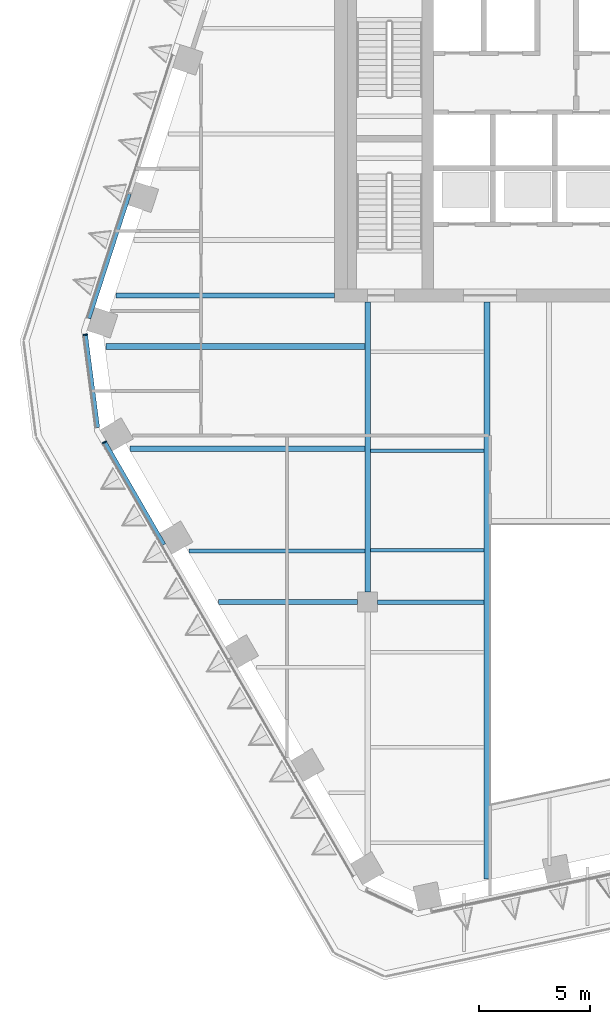
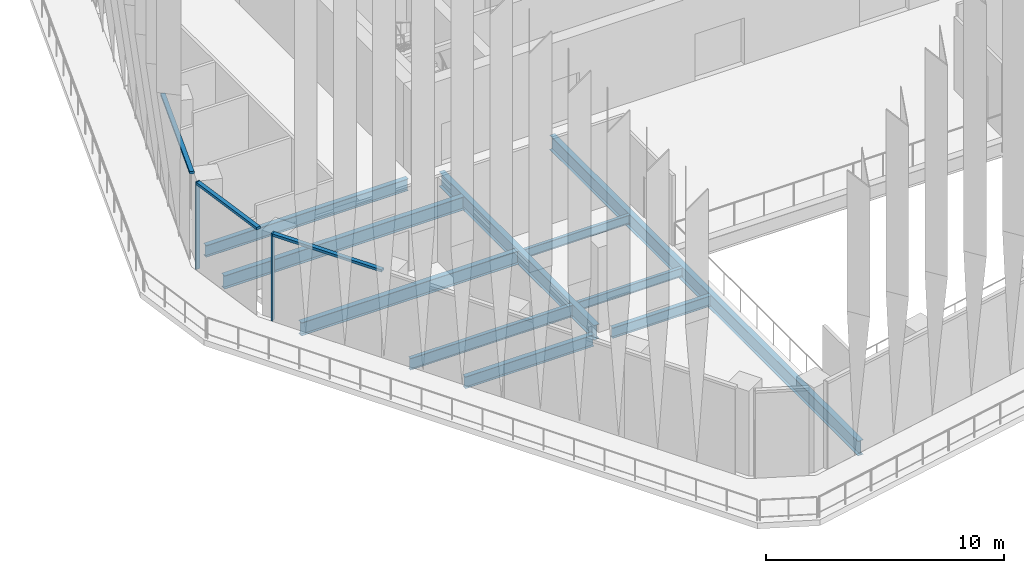
# One storey, part 3 of 21: 10 beams, 5 members, 3 elements without a shape of their own.
"""IFC4 building model written with IfcOpenShell, lengths in metres."""

from ifc_helpers import new_model, si_unit, direction, frame, origin, origin_2d, place, context, subcontext, project, spatial, rectangle, i_section, extrude, material, layer, layer_set, material_profile, profile_set, type_object, element, aggregate, save


model = new_model("IFC4")

# Units and contexts
model_context = context("Model", 3, precision=1e-05, world=origin(), true_north=direction((0.0, 1.0)))
body_context = subcontext(model_context, "Body", "Model", "MODEL_VIEW")
ifc_project = project(units=[si_unit("LENGTHUNIT", "METRE"), si_unit("AREAUNIT", "SQUARE_METRE"), si_unit("VOLUMEUNIT", "CUBIC_METRE"), si_unit("PLANEANGLEUNIT", "RADIAN"), si_unit("MASSUNIT", "GRAM", prefix="KILO")], contexts=[model_context])

# Site, building, storey
site_placement = place(None, origin())
site = spatial("IfcSite", under=ifc_project, at=site_placement, CompositionType="ELEMENT")
building_placement = place(site_placement, origin())
building = spatial("IfcBuilding", under=site, at=building_placement, Name="Isthmus Gate Tower", CompositionType="ELEMENT")
storey_placement = place(building_placement, frame((0.0, 0.0, 211.800048828125)))
storey = spatial("IfcBuildingStorey", under=building, at=storey_placement, Name="L53", CompositionType="ELEMENT", Elevation=211.800048828125)

# Curtain wall, member
ifc_material_1 = material(Name="Aluminium, pale champagne anodised", Category="aluminium")
ifc_layer = layer(ifc_material_1, 0.199951171875)
ifc_layer_set = layer_set([ifc_layer], Name="CW-1 UNITISED CURTAIN WALL 200 DEEP")
curtain_wall_type = type_object("IfcCurtainWallType", Name="CW-1 UNITISED CURTAIN WALL 200 DEEP", PredefinedType="NOTDEFINED", material=ifc_layer_set)
curtain_wall_1_placement = place(storey_placement, origin())
curtain_wall_1 = element("IfcCurtainWall", 1, at=curtain_wall_1_placement, inside=storey, type_object=curtain_wall_type, Name="CW-1 NW-SW L53", PredefinedType="NOTDEFINED")
ifc_material_2 = material(Name="Aluminium, pale champagne anodised", Category="aluminium")
ifc_material_profile_1 = material_profile(ifc_material_2, rectangle(XDim=0.06005859375, YDim=0.199951171875, at=origin_2d()), Name="60x200")
ifc_profile_set_1 = profile_set([ifc_material_profile_1], Name="Aluminium, pale champagne anodised")
member_type_1 = type_object("IfcMemberType", Name="CW-1 MULLION 60 X 200", PredefinedType="MULLION", material=ifc_profile_set_1)
member_1_placement = place(storey_placement, frame((-26.205322265625, -1.4658203125, 0.0), z_axis=(0.0, 0.0, 1.0), x_axis=(0.129164534, -0.991623175988, 0.0)))
member_1 = element("IfcMember", 2, at=member_1_placement, type_object=member_type_1, Name="CW-1 mullion", PredefinedType="MULLION", context=body_context, shape_type="SweptSolid", body=[
    extrude(rectangle(XDim=0.06005859375, YDim=0.199951171875, at=origin_2d()), origin(), (0.0, 0.0, 1.0), 4.5),
])

curtain_wall_2_placement = place(storey_placement, origin())
curtain_wall_2 = element("IfcCurtainWall", 3, at=curtain_wall_2_placement, inside=storey, type_object=curtain_wall_type, Name="CW-1 SW L53", PredefinedType="NOTDEFINED")
member_2_placement = place(storey_placement, frame((-25.3427734375, -6.304931640625, 0.0), z_axis=(0.0, 0.0, 1.0), x_axis=(0.5, -0.866025403784, 0.0)))
member_2 = element("IfcMember", 4, at=member_2_placement, type_object=member_type_1, Name="CW-1 mullion", PredefinedType="MULLION", context=body_context, shape_type="SweptSolid", body=[
    extrude(rectangle(XDim=0.06005859375, YDim=0.199951171875, at=origin_2d()), origin(), (0.0, 0.0, 1.0), 4.5),
])

curtain_wall_3_placement = place(storey_placement, origin())
curtain_wall_3 = element("IfcCurtainWall", 5, at=curtain_wall_3_placement, inside=storey, type_object=curtain_wall_type, Name="CW-1 NW L53", PredefinedType="NOTDEFINED")
ifc_material_3 = material(Name="Aluminium, pale champagne anodised", Category="aluminium")
ifc_material_profile_2 = material_profile(ifc_material_3, rectangle(XDim=0.199951171875, YDim=0.1298828125, at=origin_2d()), Name="200x130")
ifc_profile_set_2 = profile_set([ifc_material_profile_2], Name="Aluminium, pale champagne anodised")
member_type_2 = type_object("IfcMemberType", Name="CW-1 TRANSOM 200 X 130", PredefinedType="USERDEFINED", material=ifc_profile_set_2)
member_3_placement = place(storey_placement, frame((-24.236083984375, 4.866455078125, 4.43505859375), z_axis=(-0.309009113534, -0.9510590769, 0.0), x_axis=(0.9510590769, -0.309009113534, 0.0)))
member_3 = element("IfcMember", 6, at=member_3_placement, type_object=member_type_2, Name="CW-1 transom", ObjectType="TRANSOM", PredefinedType="USERDEFINED", context=body_context, shape_type="SweptSolid", body=[
    extrude(rectangle(XDim=0.199951171875, YDim=0.1298828125, at=origin_2d()), origin(), (0.0, 0.0, 1.0), 5.882080078125),
])
aggregate(curtain_wall_3, [member_3])

# Member
member_4_placement = place(storey_placement, frame((-26.20166015625, -1.495361328125, 4.43505859375), z_axis=(0.129206893318, -0.991617657527, 0.0), x_axis=(0.991617657527, 0.129206893318, 0.0)))
member_4 = element("IfcMember", 7, at=member_4_placement, type_object=member_type_2, Name="CW-1 transom", ObjectType="TRANSOM", PredefinedType="USERDEFINED", context=body_context, shape_type="SweptSolid", body=[
    extrude(rectangle(XDim=0.199951171875, YDim=0.1298828125, at=origin_2d()), origin(), (0.0, 0.0, 1.0), 4.181640625),
])

aggregate(curtain_wall_1, [member_1, member_4])

member_5_placement = place(storey_placement, frame((-25.327880859375, -6.3310546875, 4.43505859375), z_axis=(0.500022807565, -0.86601223543, 0.0), x_axis=(0.86601223543, 0.500022807565, 0.0)))
member_5 = element("IfcMember", 8, at=member_5_placement, type_object=member_type_2, Name="CW-1 transom", ObjectType="TRANSOM", PredefinedType="USERDEFINED", context=body_context, shape_type="SweptSolid", body=[
    extrude(rectangle(XDim=0.199951171875, YDim=0.1298828125, at=origin_2d()), origin(), (0.0, 0.0, 1.0), 5.300537109375),
])

aggregate(curtain_wall_2, [member_2, member_5])

# Beams
ifc_material_4 = material(Name="Structural steel ASTM A992 Gr 50", Category="steel")
ifc_material_profile_3 = material_profile(ifc_material_4, i_section(OverallWidth=0.15234375, OverallDepth=0.45068359375, WebThickness=0.0078125, FlangeThickness=0.010986328125, at=origin_2d()), Name="W18X35")
ifc_profile_set_3 = profile_set([ifc_material_profile_3], Name="Structural steel ASTM A992 Gr 50")
beam_type_1 = type_object("IfcBeamType", Name="STEEL FLOOR BEAM W18X35", PredefinedType="JOIST", material=ifc_profile_set_3)
for number, where, z_axis, x_axis, name in (
    (9, (-13.3681640625, -11.16259765625, -0.525390625), (1.0, 0.0, 0.0), (0.0, 1.0, 0.0), "str-beam-L53-03-00"),
    (10, (-13.3681640625, -6.697509765625, -0.525390625), (1.0, 0.0, 0.0), (0.0, 1.0, 0.0), "str-beam-L53-03-01"),
):
    element("IfcBeam", number, at=place(storey_placement, frame(where, z_axis=z_axis, x_axis=x_axis)), inside=storey, type_object=beam_type_1, Name=name, PredefinedType="JOIST", context=body_context, shape_type="SweptSolid", body=[
        extrude(i_section(OverallWidth=0.15234375, OverallDepth=0.45068359375, WebThickness=0.0078125, FlangeThickness=0.010986328125, at=origin_2d()), origin(), (0.0, 0.0, 1.0), 5.104736328125),
    ])
ifc_material_5 = material(Name="Structural steel ASTM A992 Gr 50", Category="steel")
ifc_material_profile_4 = material_profile(ifc_material_5, i_section(OverallWidth=0.177734375, OverallDepth=0.60009765625, WebThickness=0.009521484375, FlangeThickness=0.0126953125, at=origin_2d()), Name="W24X55")
ifc_profile_set_4 = profile_set([ifc_material_profile_4], Name="Structural steel ASTM A992 Gr 50")
beam_type_2 = type_object("IfcBeamType", Name="STEEL FLOOR BEAM W24X55", PredefinedType="JOIST", material=ifc_profile_set_4)
beam_1_placement = place(storey_placement, frame((-21.531494140625, -11.199951171875, -0.60009765625), z_axis=(1.0, 0.0, 0.0), x_axis=(0.0, 1.0, 0.0)))
element("IfcBeam", 11, at=beam_1_placement, inside=storey, type_object=beam_type_2, Name="str-beam-L53-01-00", PredefinedType="JOIST", context=body_context, shape_type="SweptSolid", body=[
    extrude(i_section(OverallWidth=0.177734375, OverallDepth=0.60009765625, WebThickness=0.009521484375, FlangeThickness=0.0126953125, at=origin_2d()), origin(), (0.0, 0.0, 1.0), 7.899658203125),
])
ifc_material_6 = material(Name="Structural steel ASTM A992 Gr 50", Category="steel")
ifc_material_profile_5 = material_profile(ifc_material_6, i_section(OverallWidth=0.25390625, OverallDepth=0.679443359375, WebThickness=0.010986328125, FlangeThickness=0.015869140625, at=origin_2d()), Name="W27X84")
ifc_profile_set_5 = profile_set([ifc_material_profile_5], Name="Structural steel ASTM A992 Gr 50")
beam_type_3 = type_object("IfcBeamType", Name="STEEL FLOOR BEAM W27X84", PredefinedType="JOIST", material=ifc_profile_set_5)
beam_2_placement = place(storey_placement, frame((-24.187255859375, -6.60009765625, -0.6396484375), z_axis=(1.0, 0.0, 0.0), x_axis=(0.0, 1.0, 0.0)))
element("IfcBeam", 12, at=beam_2_placement, inside=storey, type_object=beam_type_3, Name="str-beam-L53-01-01", PredefinedType="JOIST", context=body_context, shape_type="SweptSolid", body=[
    extrude(i_section(OverallWidth=0.25390625, OverallDepth=0.679443359375, WebThickness=0.010986328125, FlangeThickness=0.015869140625, at=origin_2d()), origin(), (0.0, 0.0, 1.0), 10.555419921875),
])
beam_3_placement = place(storey_placement, frame((-25.275390625, -2.0, -0.6396484375), z_axis=(1.0, 0.0, 0.0), x_axis=(0.0, 1.0, 0.0)))
element("IfcBeam", 13, at=beam_3_placement, inside=storey, type_object=beam_type_3, Name="str-beam-L53-01-02", PredefinedType="JOIST", context=body_context, shape_type="SweptSolid", body=[
    extrude(i_section(OverallWidth=0.25390625, OverallDepth=0.679443359375, WebThickness=0.010986328125, FlangeThickness=0.015869140625, at=origin_2d()), origin(), (0.0, 0.0, 1.0), 11.6435546875),
])
ifc_material_7 = material(Name="Structural steel ASTM A992 Gr 50", Category="steel")
ifc_material_profile_6 = material_profile(ifc_material_7, i_section(OverallWidth=0.20947265625, OverallDepth=0.533447265625, WebThickness=0.009521484375, FlangeThickness=0.015869140625, at=origin_2d()), Name="W21X62")
ifc_profile_set_6 = profile_set([ifc_material_profile_6], Name="Structural steel ASTM A992 Gr 50")
beam_type_4 = type_object("IfcBeamType", Name="STEEL GIRDER W21X62", PredefinedType="BEAM", material=ifc_profile_set_6)
beam_4_placement = place(storey_placement, frame((-13.050048828125, -13.5, -0.566650390625), z_axis=(1.0, 0.0, 0.0), x_axis=(0.0, 1.0, 0.0)))
element("IfcBeam", 14, at=beam_4_placement, inside=storey, type_object=beam_type_4, Name="str-girder-L53-02", PredefinedType="BEAM", context=body_context, shape_type="SweptSolid", body=[
    extrude(i_section(OverallWidth=0.20947265625, OverallDepth=0.533447265625, WebThickness=0.009521484375, FlangeThickness=0.015869140625, at=origin_2d()), origin(), (0.0, 0.0, 1.0), 4.78662109375),
])
ifc_material_8 = material(Name="Structural steel ASTM A992 Gr 50", Category="steel")
ifc_material_profile_7 = material_profile(ifc_material_8, i_section(OverallWidth=0.228515625, OverallDepth=0.603271484375, WebThickness=0.010986328125, FlangeThickness=0.014404296875, at=origin_2d()), Name="W24X68")
ifc_profile_set_7 = profile_set([ifc_material_profile_7], Name="Structural steel ASTM A992 Gr 50")
beam_type_5 = type_object("IfcBeamType", Name="STEEL GIRDER W24X68", PredefinedType="BEAM", material=ifc_profile_set_7)
beam_5_placement = place(storey_placement, frame((-20.20361328125, -13.5, -0.6015625), z_axis=(1.0, 0.0, 0.0), x_axis=(0.0, 1.0, 0.0)))
element("IfcBeam", 15, at=beam_5_placement, inside=storey, type_object=beam_type_5, Name="str-girder-L53-01", PredefinedType="BEAM", context=body_context, shape_type="SweptSolid", body=[
    extrude(i_section(OverallWidth=0.228515625, OverallDepth=0.603271484375, WebThickness=0.010986328125, FlangeThickness=0.014404296875, at=origin_2d()), origin(), (0.0, 0.0, 1.0), 6.253662109375),
])
ifc_material_9 = material(Name="Structural steel ASTM A992 Gr 50", Category="steel")
ifc_material_profile_8 = material_profile(ifc_material_9, i_section(OverallWidth=0.228515625, OverallDepth=0.6064453125, WebThickness=0.010986328125, FlangeThickness=0.017578125, at=origin_2d()), Name="W24X76")
ifc_profile_set_8 = profile_set([ifc_material_profile_8], Name="Structural steel ASTM A992 Gr 50")
beam_type_6 = type_object("IfcBeamType", Name="STEEL GIRDER W24X76", PredefinedType="BEAM", material=ifc_profile_set_8)
beam_6_placement = place(storey_placement, frame((-15.0, 0.300048828125, -0.603271484375), z_axis=(-1.0, 0.0, 0.0), x_axis=(0.0, -1.0, 0.0)))
element("IfcBeam", 16, at=beam_6_placement, inside=storey, type_object=beam_type_6, Name="str-girder-L53-09", PredefinedType="BEAM", context=body_context, shape_type="SweptSolid", body=[
    extrude(i_section(OverallWidth=0.228515625, OverallDepth=0.6064453125, WebThickness=0.010986328125, FlangeThickness=0.017578125, at=origin_2d()), origin(), (0.0, 0.0, 1.0), 9.82275390625),
])
ifc_material_10 = material(Name="Structural steel ASTM A992 Gr 50", Category="steel")
ifc_material_profile_9 = material_profile(ifc_material_10, i_section(OverallWidth=0.263427734375, OverallDepth=0.749267578125, WebThickness=0.0126953125, FlangeThickness=0.015869140625, at=origin_2d()), Name="W30X90")
ifc_profile_set_9 = profile_set([ifc_material_profile_9], Name="Structural steel ASTM A992 Gr 50")
beam_type_7 = type_object("IfcBeamType", Name="STEEL GIRDER W30X90", PredefinedType="BEAM", material=ifc_profile_set_9)
beam_7_placement = place(storey_placement, frame((-13.5, -13.050048828125, -0.6748046875), z_axis=(0.0, 1.0, 0.0), x_axis=(-1.0, 0.0, 0.0)))
element("IfcBeam", 17, at=beam_7_placement, inside=storey, type_object=beam_type_7, Name="str-girder-L53-06", PredefinedType="BEAM", context=body_context, shape_type="SweptSolid", body=[
    extrude(i_section(OverallWidth=0.263427734375, OverallDepth=0.749267578125, WebThickness=0.0126953125, FlangeThickness=0.015869140625, at=origin_2d()), origin(), (0.0, 0.0, 1.0), 13.050048828125),
])
ifc_material_11 = material(Name="Structural steel ASTM A992 Gr 50", Category="steel")
ifc_material_profile_10 = material_profile(ifc_material_11, i_section(OverallWidth=0.263427734375, OverallDepth=0.749267578125, WebThickness=0.0126953125, FlangeThickness=0.015869140625, at=origin_2d()), Name="W30X90")
ifc_profile_set_10 = profile_set([ifc_material_profile_10], Name="Structural steel ASTM A992 Gr 50")
beam_type_8 = type_object("IfcBeamType", Name="STEEL TRIMMER W30X90", PredefinedType="BEAM", material=ifc_profile_set_10)
beam_8_placement = place(storey_placement, frame((-8.1318359375, 0.0, -0.6748046875), z_axis=(0.0, -1.0, 0.0), x_axis=(1.0, 0.0, 0.0)))
element("IfcBeam", 18, at=beam_8_placement, inside=storey, type_object=beam_type_8, Name="str-trimmer-L53-02", PredefinedType="BEAM", context=body_context, shape_type="SweptSolid", body=[
    extrude(i_section(OverallWidth=0.263427734375, OverallDepth=0.749267578125, WebThickness=0.0126953125, FlangeThickness=0.015869140625, at=origin_2d()), origin(), (0.0, 0.0, 1.0), 25.95849609375),
])

save(model, "model.ifc")
